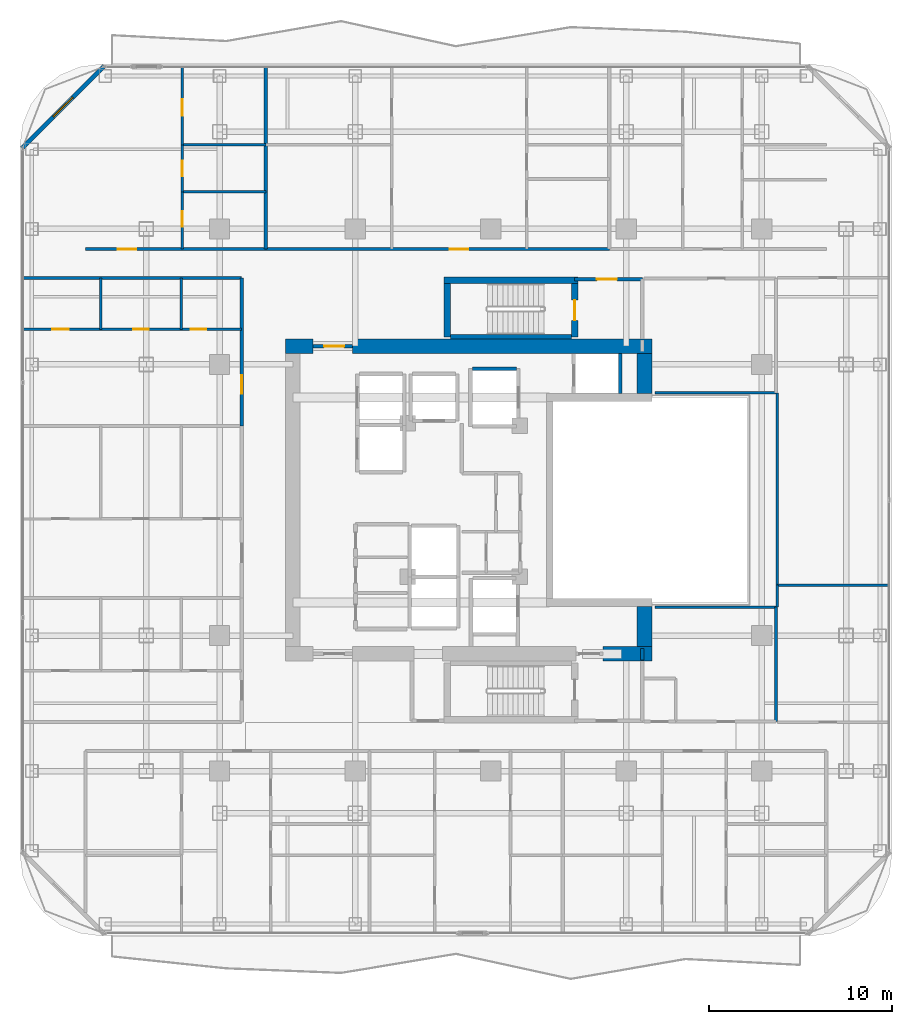
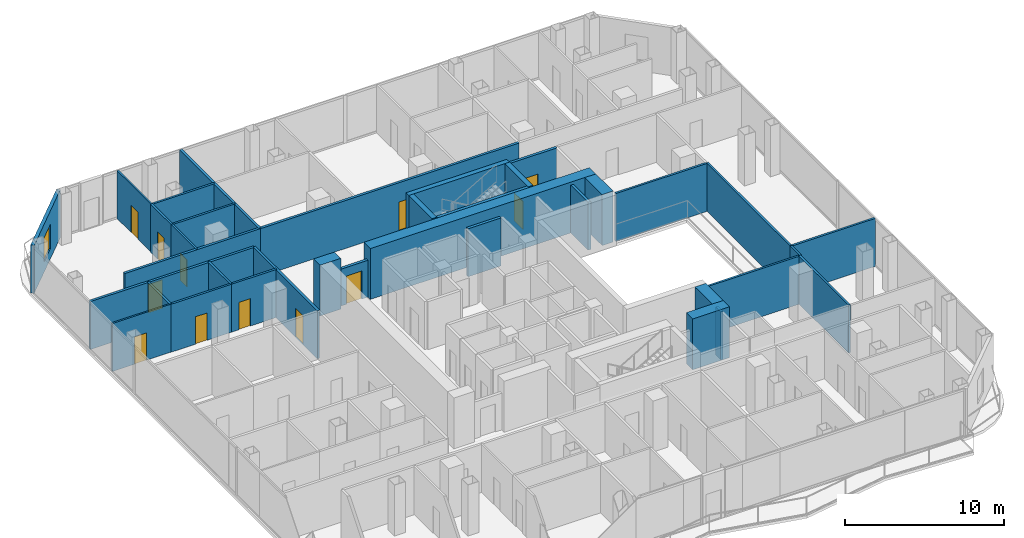
# One storey, part 22 of 27: 36 walls, 12 doors, 1 window, 13 openings.
"""IFC4 building model written with IfcOpenShell, lengths in metres."""

from ifc_helpers import new_model, si_unit, direction, frame, frame_2d, origin, place, context, subcontext, project, spatial, rectangle, extrude, material, layer, layer_set, type_object, element, fill, save


model = new_model("IFC4")

# Units and contexts
model_context = context("Model", 3, precision=1e-05, world=origin(), true_north=direction((0.0, 1.0)))
body_context = subcontext(model_context, "Body", "Model", "MODEL_VIEW")
ifc_project = project(units=[si_unit("LENGTHUNIT", "METRE"), si_unit("AREAUNIT", "SQUARE_METRE"), si_unit("VOLUMEUNIT", "CUBIC_METRE"), si_unit("PLANEANGLEUNIT", "RADIAN"), si_unit("MASSUNIT", "GRAM", prefix="KILO")], contexts=[model_context])

# Site, building, storey
site_placement = place(None, origin())
site = spatial("IfcSite", under=ifc_project, at=site_placement, CompositionType="ELEMENT")
building_placement = place(site_placement, origin())
building = spatial("IfcBuilding", under=site, at=building_placement, Name="Khorvyn Point Tower", CompositionType="ELEMENT")
storey_placement = place(building_placement, frame((0.0, 0.0, 179.699951171875)))
storey = spatial("IfcBuildingStorey", under=building, at=storey_placement, Name="L44", CompositionType="ELEMENT", Elevation=179.699951171875)

# Wall, opening, door
ifc_material_1 = material(Name="Double acoustic gypsum on twin steel stud", Category="steel")
ifc_layer_1 = layer(ifc_material_1, 0.179931640625)
ifc_layer_set_1 = layer_set([ifc_layer_1], Name="Acoustic Double-Stud Apartment Demising Wall 180")
wall_type_1 = type_object("IfcWallType", Name="Acoustic Double-Stud Apartment Demising Wall 180", PredefinedType="PARTITIONING", material=ifc_layer_set_1)
wall_1_placement = place(storey_placement, frame((-22.1201171875, 13.699951171875, 0.0), z_axis=(0.0, 0.0, 1.0), x_axis=(1.0, 0.0, 0.0)))
wall_1 = element("IfcWall", 1, at=wall_1_placement, inside=storey, type_object=wall_type_1, Name="Wall", PredefinedType="PARTITIONING", context=body_context, shape_type="SweptSolid", body=[
    extrude(rectangle(XDim=9.840087890625, YDim=0.179931640625, at=frame_2d((4.919921875, 0.0))), origin(), (0.0, 0.0, 1.0), 3.679931640625),
])
opening_1_placement = place(wall_1_placement, frame((1.757568359375, 0.0, 0.0)))
opening_1 = element("IfcOpeningElement", 2, at=opening_1_placement, cuts=wall_1, Name="Opening ID-AP60", PredefinedType="OPENING", context=body_context, shape_type="SweptSolid", body=[
    extrude(rectangle(XDim=1.0, YDim=2.199951171875, at=frame_2d((0.5, 1.10009765625))), frame((0.0, 0.099853515625, 0.0), z_axis=(0.0, -1.0, 0.0), x_axis=(1.0, 0.0, 0.0)), (0.0, 0.0, 1.0), 0.199951171875),
])
ifc_material_2 = material(Name="Engineered hardwood fire-rated leaf", Category="wood")
door_type_1 = type_object("IfcDoorType", Name="Acoustic Solid-Core Timber Apartment Entrance Door 1000x2200", OperationType="NOTDEFINED", PredefinedType="DOOR", material=ifc_material_2)
door_1_placement = place(opening_1_placement, origin())
door_1 = element("IfcDoor", 3, at=door_1_placement, inside=storey, type_object=door_type_1, Name="Door", OperationType="SINGLE_SWING_RIGHT", OverallHeight=2.199951171875, OverallWidth=1.0, PredefinedType="DOOR", context=body_context, shape_type="SweptSolid", body=[
    extrude(rectangle(XDim=1.0, YDim=2.199951171875, at=frame_2d((0.5, 1.10009765625))), frame((0.0, 0.02490234375, 0.0), z_axis=(0.0, -1.0, 0.0), x_axis=(1.0, 0.0, 0.0)), (0.0, 0.0, 1.0), 0.050048828125),
])
fill(opening_1, door_1)

wall_2_placement = place(storey_placement, frame((-12.280029296875, 13.699951171875, 0.0), z_axis=(0.0, 0.0, 1.0), x_axis=(1.0, 0.0, 0.0)))
wall_2 = element("IfcWall", 4, at=wall_2_placement, inside=storey, type_object=wall_type_1, Name="Wall", PredefinedType="PARTITIONING", context=body_context, shape_type="SweptSolid", body=[
    extrude(rectangle(XDim=18.758056640625, YDim=0.179931640625, at=frame_2d((9.37890625, 0.0))), origin(), (0.0, 0.0, 1.0), 3.679931640625),
])
opening_2_placement = place(wall_2_placement, frame((10.047607421875, 0.0, 0.0)))
opening_2 = element("IfcOpeningElement", 5, at=opening_2_placement, cuts=wall_2, Name="Opening ID-AP60", PredefinedType="OPENING", context=body_context, shape_type="SweptSolid", body=[
    extrude(rectangle(XDim=1.0, YDim=2.199951171875, at=frame_2d((0.5, 1.10009765625))), frame((0.0, 0.099853515625, 0.0), z_axis=(0.0, -1.0, 0.0), x_axis=(1.0, 0.0, 0.0)), (0.0, 0.0, 1.0), 0.199951171875),
])
door_2_placement = place(opening_2_placement, origin())
door_2 = element("IfcDoor", 6, at=door_2_placement, inside=storey, type_object=door_type_1, Name="Door", OperationType="SINGLE_SWING_RIGHT", OverallHeight=2.199951171875, OverallWidth=1.0, PredefinedType="DOOR", context=body_context, shape_type="SweptSolid", body=[
    extrude(rectangle(XDim=1.0, YDim=2.199951171875, at=frame_2d((0.5, 1.10009765625))), frame((0.0, 0.02490234375, 0.0), z_axis=(0.0, -1.0, 0.0), x_axis=(1.0, 0.0, 0.0)), (0.0, 0.0, 1.0), 0.050048828125),
])
fill(opening_2, door_2)

wall_3_placement = place(storey_placement, frame((-13.60009765625, 4.0400390625, 0.0), z_axis=(0.0, 0.0, 1.0), x_axis=(0.0, 1.0, 0.0)))
wall_3 = element("IfcWall", 7, at=wall_3_placement, inside=storey, type_object=wall_type_1, Name="Wall", PredefinedType="PARTITIONING", context=body_context, shape_type="SweptSolid", body=[
    extrude(rectangle(XDim=8.080078125, YDim=0.179931640625, at=frame_2d((4.0400390625, 0.0))), origin(), (0.0, 0.0, 1.0), 3.679931640625),
])
opening_3_placement = place(wall_3_placement, frame((1.760986328125, 0.0, 0.0)))
opening_3 = element("IfcOpeningElement", 8, at=opening_3_placement, cuts=wall_3, Name="Opening ID-AP60", PredefinedType="OPENING", context=body_context, shape_type="SweptSolid", body=[
    extrude(rectangle(XDim=1.0, YDim=2.199951171875, at=frame_2d((0.5, 1.10009765625))), frame((0.0, 0.099853515625, 0.0), z_axis=(0.0, -1.0, 0.0), x_axis=(1.0, 0.0, 0.0)), (0.0, 0.0, 1.0), 0.199951171875),
])
door_3_placement = place(opening_3_placement, origin())
door_3 = element("IfcDoor", 9, at=door_3_placement, inside=storey, type_object=door_type_1, Name="Door", OperationType="SINGLE_SWING_LEFT", OverallHeight=2.199951171875, OverallWidth=1.0, PredefinedType="DOOR", context=body_context, shape_type="SweptSolid", body=[
    extrude(rectangle(XDim=1.0, YDim=2.199951171875, at=frame_2d((0.5, 1.10009765625))), frame((0.0, 0.02490234375, 0.0), z_axis=(0.0, -1.0, 0.0), x_axis=(1.0, 0.0, 0.0)), (0.0, 0.0, 1.0), 0.050048828125),
])
fill(opening_3, door_3)

# Walls
wall_4_placement = place(storey_placement, frame((-12.280029296875, 13.699951171875, 0.0), z_axis=(0.0, 0.0, 1.0), x_axis=(0.0, 1.0, 0.0)))
element("IfcWall", 10, at=wall_4_placement, inside=storey, type_object=wall_type_1, Name="Wall", PredefinedType="PARTITIONING", context=body_context, shape_type="SweptSolid", body=[
    extrude(rectangle(XDim=9.929931640625, YDim=0.179931640625, at=frame_2d((4.96484375, 0.0))), origin(), (0.0, 0.0, 1.0), 3.679931640625),
])
wall_5_placement = place(storey_placement, frame((-25.530029296875, 12.1201171875, 0.0), z_axis=(0.0, 0.0, 1.0), x_axis=(1.0, 0.0, 0.0)))
element("IfcWall", 11, at=wall_5_placement, inside=storey, type_object=wall_type_1, Name="Wall", PredefinedType="PARTITIONING", context=body_context, shape_type="SweptSolid", body=[
    extrude(rectangle(XDim=11.929931640625, YDim=0.179931640625, at=frame_2d((5.96484375, 0.0))), origin(), (0.0, 0.0, 1.0), 3.679931640625),
])

# Wall, opening, window
ifc_material_3 = material(Name="Pale anodised aluminium rainscreen on steel stud", Category="steel")
ifc_layer_2 = layer(ifc_material_3, 0.239990234375)
ifc_layer_set_2 = layer_set([ifc_layer_2], Name="Anodised Aluminium Insulated Corner Spandrel Wall 240")
wall_type_2 = type_object("IfcWallType", Name="Anodised Aluminium Insulated Corner Spandrel Wall 240", PredefinedType="SOLIDWALL", material=ifc_layer_set_2)
wall_6_placement = place(storey_placement, frame((-25.59228515625, 19.20751953125, 0.0), z_axis=(0.0, 0.0, 1.0), x_axis=(0.707087534163, 0.707126027686, 0.0)))
wall_6 = element("IfcWall", 12, at=wall_6_placement, inside=storey, type_object=wall_type_2, Name="L44 Rounded Corner Wall NW", PredefinedType="SOLIDWALL", context=body_context, shape_type="SweptSolid", body=[
    extrude(rectangle(XDim=6.34228515625, YDim=0.239990234375, at=frame_2d((3.171142578125, 0.0))), origin(), (0.0, 0.0, 1.0), 3.679931640625),
])
opening_4_placement = place(wall_6_placement, frame((2.42138671875, 0.0, 0.800048828125)))
opening_4 = element("IfcOpeningElement", 13, at=opening_4_placement, cuts=wall_6, Name="Opening WN-1518", PredefinedType="OPENING", context=body_context, shape_type="SweptSolid", body=[
    extrude(rectangle(XDim=1.5, YDim=1.85009765625, at=frame_2d((0.75, 0.925048828125))), frame((0.0, 0.1298828125, 0.0), z_axis=(0.0, -1.0, 0.0), x_axis=(1.0, 0.0, 0.0)), (0.0, 0.0, 1.0), 0.260009765625),
])
ifc_material_4 = material(Name="Anodised aluminium 6063-T6 and laminated Low-E glass", Category="aluminium")
window_type = type_object("IfcWindowType", Name="Anodised Aluminium Rounded-Corner Panoramic Window 1500x1850", PartitioningType="SINGLE_PANEL", PredefinedType="WINDOW", material=ifc_material_4)
window_placement = place(opening_4_placement, origin())
window = element("IfcWindow", 14, at=window_placement, inside=storey, type_object=window_type, Name="L44 Corner Panoramic Window NW", OverallHeight=1.85009765625, OverallWidth=1.5, PartitioningType="SINGLE_PANEL", PredefinedType="WINDOW", context=body_context, shape_type="SweptSolid", body=[
    extrude(rectangle(XDim=1.5, YDim=1.85009765625, at=frame_2d((0.75, 0.925048828125))), frame((0.0, 0.030029296875, 0.0), z_axis=(0.0, -1.0, 0.0), x_axis=(1.0, 0.0, 0.0)), (0.0, 0.0, 1.0), 0.06005859375),
])
fill(opening_4, window)

# Wall, opening, door
ifc_material_5 = material(Name="Concrete C40/50", Category="concrete")
ifc_layer_3 = layer(ifc_material_5, 0.199951171875)
ifc_layer_set_3 = layer_set([ifc_layer_3], Name="Concrete C40/50 Fire-Lobby Compartment Wall 200")
wall_type_3 = type_object("IfcWallType", Name="Concrete C40/50 Fire-Lobby Compartment Wall 200", PredefinedType="SOLIDWALL", material=ifc_layer_set_3)
wall_7_placement = place(storey_placement, frame((4.580078125, 12.06005859375, 0.0), z_axis=(0.0, 0.0, 1.0), x_axis=(1.0, 0.0, 0.0)))
wall_7 = element("IfcWall", 15, at=wall_7_placement, inside=storey, type_object=wall_type_3, Name="Wall", PredefinedType="SOLIDWALL", context=body_context, shape_type="SweptSolid", body=[
    extrude(rectangle(XDim=3.699951171875, YDim=0.199951171875, at=frame_2d((1.85009765625, 0.0))), origin(), (0.0, 0.0, 1.0), 3.679931640625),
])
opening_5_placement = place(wall_7_placement, frame((1.21240234375, 0.0, 0.0)))
opening_5 = element("IfcOpeningElement", 16, at=opening_5_placement, cuts=wall_7, Name="Opening ID-FL90", PredefinedType="OPENING", context=body_context, shape_type="SweptSolid", body=[
    extrude(rectangle(XDim=1.10009765625, YDim=2.14990234375, at=frame_2d((0.550048828125, 1.074951171875))), frame((0.0, 0.10986328125, 0.0), z_axis=(0.0, -1.0, 0.0), x_axis=(1.0, 0.0, 0.0)), (0.0, 0.0, 1.0), 0.219970703125),
])
ifc_material_6 = material(Name="Galvanised powder-coated steel", Category="steel")
door_type_2 = type_object("IfcDoorType", Name="Fire-Rated Steel Lobby and Stair Door 1100x2150", OperationType="NOTDEFINED", PredefinedType="DOOR", material=ifc_material_6)
door_4_placement = place(opening_5_placement, origin())
door_4 = element("IfcDoor", 17, at=door_4_placement, inside=storey, type_object=door_type_2, Name="Door", OperationType="SINGLE_SWING_RIGHT", OverallHeight=2.14990234375, OverallWidth=1.10009765625, PredefinedType="DOOR", context=body_context, shape_type="SweptSolid", body=[
    extrude(rectangle(XDim=1.10009765625, YDim=2.14990234375, at=frame_2d((0.550048828125, 1.074951171875))), frame((0.0, 0.02490234375, 0.0), z_axis=(0.0, -1.0, 0.0), x_axis=(1.0, 0.0, 0.0)), (0.0, 0.0, 1.0), 0.050048828125),
])
fill(opening_5, door_4)

wall_8_placement = place(storey_placement, frame((-9.699951171875, 8.39990234375, 0.0), z_axis=(0.0, 0.0, 1.0), x_axis=(1.0, 0.0, 0.0)))
wall_8 = element("IfcWall", 18, at=wall_8_placement, inside=storey, type_object=wall_type_3, Name="Wall", PredefinedType="SOLIDWALL", context=body_context, shape_type="SweptSolid", body=[
    extrude(rectangle(XDim=2.14990234375, YDim=0.199951171875, at=frame_2d((1.074951171875, 0.0))), origin(), (0.0, 0.0, 1.0), 2.820068359375),
])
opening_6_placement = place(wall_8_placement, frame((0.597900390625, 0.0, 0.0)))
opening_6 = element("IfcOpeningElement", 19, at=opening_6_placement, cuts=wall_8, Name="Opening ID-FL90", PredefinedType="OPENING", context=body_context, shape_type="SweptSolid", body=[
    extrude(rectangle(XDim=1.10009765625, YDim=2.14990234375, at=frame_2d((0.550048828125, 1.074951171875))), frame((0.0, 0.10986328125, 0.0), z_axis=(0.0, -1.0, 0.0), x_axis=(1.0, 0.0, 0.0)), (0.0, 0.0, 1.0), 0.219970703125),
])
door_5_placement = place(opening_6_placement, origin())
door_5 = element("IfcDoor", 20, at=door_5_placement, inside=storey, type_object=door_type_2, Name="Door", OperationType="SINGLE_SWING_RIGHT", OverallHeight=2.14990234375, OverallWidth=1.10009765625, PredefinedType="DOOR", context=body_context, shape_type="SweptSolid", body=[
    extrude(rectangle(XDim=1.10009765625, YDim=2.14990234375, at=frame_2d((0.550048828125, 1.074951171875))), frame((0.0, 0.02490234375, 0.0), z_axis=(0.0, -1.0, 0.0), x_axis=(1.0, 0.0, 0.0)), (0.0, 0.0, 1.0), 0.050048828125),
])
fill(opening_6, door_5)

# Walls
wall_9_placement = place(storey_placement, frame((8.280029296875, -8.72509765625, 0.0), z_axis=(0.0, 0.0, 1.0), x_axis=(0.0, 1.0, 0.0)))
element("IfcWall", 21, at=wall_9_placement, inside=storey, type_object=wall_type_3, Name="Wall", PredefinedType="SOLIDWALL", context=body_context, shape_type="SweptSolid", body=[
    extrude(rectangle(XDim=0.625, YDim=0.199951171875, at=frame_2d((0.3125, 0.0))), origin(), (0.0, 0.0, 1.0), 3.679931640625),
])
ifc_layer_4 = layer(ifc_material_5, 0.25)
ifc_layer_set_4 = layer_set([ifc_layer_4], Name="Concrete C40/50 Stair Inner Cheek Structural Wall 250")
wall_type_4 = type_object("IfcWallType", Name="Concrete C40/50 Stair Inner Cheek Structural Wall 250", PredefinedType="SHEAR", material=ifc_layer_set_4)
wall_10_placement = place(storey_placement, frame((-2.199951171875, 8.91259765625, 0.0), z_axis=(0.0, 0.0, 1.0), x_axis=(1.0, 0.0, 0.0)))
element("IfcWall", 22, at=wall_10_placement, inside=storey, type_object=wall_type_4, Name="Wall", PredefinedType="SHEAR", context=body_context, shape_type="SweptSolid", body=[
    extrude(rectangle(XDim=6.599853515625, YDim=0.22509765625, at=frame_2d((3.2998046875, 0.0))), origin(), (0.0, 0.0, 1.0), 3.900146484375),
])
ifc_layer_5 = layer(ifc_material_5, 0.35009765625)
ifc_layer_set_5 = layer_set([ifc_layer_5], Name="Concrete C40/50 Stair Shaft Structural Wall 350")
wall_type_5 = type_object("IfcWallType", Name="Concrete C40/50 Stair Shaft Structural Wall 350", PredefinedType="SHEAR", material=ifc_layer_set_5)
wall_11_placement = place(storey_placement, frame((-2.554931640625, 12.0, 0.0), z_axis=(0.0, 0.0, 1.0), x_axis=(1.0, 0.0, 0.0)))
element("IfcWall", 23, at=wall_11_placement, inside=storey, type_object=wall_type_5, Name="L44 ST-02 North Shaft Wall", PredefinedType="SHEAR", context=body_context, shape_type="SweptSolid", body=[
    extrude(rectangle(XDim=7.309814453125, YDim=0.35009765625, at=frame_2d((3.65478515625, 0.0))), origin(), (0.0, 0.0, 1.0), 3.900146484375),
])
wall_12_placement = place(storey_placement, frame((-2.3798828125, 8.89990234375, 0.0), z_axis=(0.0, 0.0, 1.0), x_axis=(0.0, 1.0, 0.0)))
element("IfcWall", 24, at=wall_12_placement, inside=storey, type_object=wall_type_5, Name="L44 ST-02 West Shaft Wall", PredefinedType="SHEAR", context=body_context, shape_type="SweptSolid", body=[
    extrude(rectangle(XDim=2.925048828125, YDim=0.35009765625, at=frame_2d((1.46240234375, 0.0))), origin(), (0.0, 0.0, 1.0), 3.900146484375),
])

# Wall, opening, door
wall_13_placement = place(storey_placement, frame((4.580078125, 11.824951171875, 0.0), z_axis=(0.0, 0.0, 1.0), x_axis=(0.0, -1.0, 0.0)))
wall_13 = element("IfcWall", 25, at=wall_13_placement, inside=storey, type_object=wall_type_5, Name="L44 ST-02 East Landing Door Wall", PredefinedType="SHEAR", context=body_context, shape_type="SweptSolid", body=[
    extrude(rectangle(XDim=2.925048828125, YDim=0.35009765625, at=frame_2d((1.46240234375, 0.0))), origin(), (0.0, 0.0, 1.0), 3.900146484375),
])
opening_7_placement = place(wall_13_placement, frame((0.91259765625, 0.0, 0.0)))
opening_7 = element("IfcOpeningElement", 26, at=opening_7_placement, cuts=wall_13, Name="Opening ID-FL90", PredefinedType="OPENING", context=body_context, shape_type="SweptSolid", body=[
    extrude(rectangle(XDim=1.10009765625, YDim=2.14990234375, at=frame_2d((0.550048828125, 1.074951171875))), frame((0.0, 0.18505859375, 0.0), z_axis=(0.0, -1.0, 0.0), x_axis=(1.0, 0.0, 0.0)), (0.0, 0.0, 1.0), 0.3701171875),
])
door_6_placement = place(opening_7_placement, origin())
door_6 = element("IfcDoor", 27, at=door_6_placement, inside=storey, type_object=door_type_2, Name="L44 ST-02 Smokeproof Landing Door", OperationType="SINGLE_SWING_LEFT", OverallHeight=2.14990234375, OverallWidth=1.10009765625, PredefinedType="DOOR", context=body_context, shape_type="SweptSolid", body=[
    extrude(rectangle(XDim=1.10009765625, YDim=2.14990234375, at=frame_2d((0.550048828125, 1.074951171875))), frame((0.0, 0.02490234375, 0.0), z_axis=(0.0, -1.0, 0.0), x_axis=(1.0, 0.0, 0.0)), (0.0, 0.0, 1.0), 0.050048828125),
])
fill(opening_7, door_6)

# Walls
ifc_layer_6 = layer(ifc_material_5, 0.199951171875)
ifc_layer_set_6 = layer_set([ifc_layer_6], Name="Concrete C40/50 Structural Hoistway and Stair Shaft Wall 200")
wall_type_6 = type_object("IfcWallType", Name="Concrete C40/50 Structural Hoistway and Stair Shaft Wall 200", PredefinedType="SHEAR", material=ifc_layer_set_6)
wall_14_placement = place(storey_placement, frame((-1.0, 7.175048828125, 0.0), z_axis=(0.0, 0.0, 1.0), x_axis=(1.0, 0.0, 0.0)))
element("IfcWall", 28, at=wall_14_placement, inside=storey, type_object=wall_type_6, Name="Wall", PredefinedType="SHEAR", context=body_context, shape_type="SweptSolid", body=[
    extrude(rectangle(XDim=2.39990234375, YDim=0.199951171875, at=frame_2d((1.199951171875, 0.0))), origin(), (0.0, 0.0, 1.0), 3.679931640625),
])
wall_15_placement = place(storey_placement, frame((7.074951171875, 5.824951171875, 0.0), z_axis=(0.0, 0.0, 1.0), x_axis=(0.0, 1.0, 0.0)))
element("IfcWall", 29, at=wall_15_placement, inside=storey, type_object=wall_type_6, Name="Wall", PredefinedType="SHEAR", context=body_context, shape_type="SweptSolid", body=[
    extrude(rectangle(XDim=2.175048828125, YDim=0.199951171875, at=frame_2d((1.08740234375, 0.0))), origin(), (0.0, 0.0, 1.0), 3.679931640625),
])
ifc_material_7 = material(Name="Concrete C45/55", Category="concrete")
ifc_layer_7 = layer(ifc_material_7, 0.800048828125)
ifc_layer_set_7 = layer_set([ifc_layer_7], Name="Concrete C45/55 Core Shear Wall 800")
wall_type_7 = type_object("IfcWallType", Name="Concrete C45/55 Core Shear Wall 800", PredefinedType="SHEAR", material=ifc_layer_set_7)
wall_16_placement = place(storey_placement, frame((6.1201171875, -8.39990234375, 0.0), z_axis=(0.0, 0.0, 1.0), x_axis=(1.0, 0.0, 0.0)))
element("IfcWall", 30, at=wall_16_placement, inside=storey, type_object=wall_type_7, Name="Wall", PredefinedType="SHEAR", context=body_context, shape_type="SweptSolid", body=[
    extrude(rectangle(XDim=2.679931640625, YDim=0.800048828125, at=frame_2d((1.33984375, 0.0))), origin(), (0.0, 0.0, 1.0), 3.900146484375),
])
wall_17_placement = place(storey_placement, frame((-11.199951171875, 8.39990234375, 0.0), z_axis=(0.0, 0.0, 1.0), x_axis=(1.0, 0.0, 0.0)))
element("IfcWall", 31, at=wall_17_placement, inside=storey, type_object=wall_type_7, Name="Wall", PredefinedType="SHEAR", context=body_context, shape_type="SweptSolid", body=[
    extrude(rectangle(XDim=1.5, YDim=0.800048828125, at=frame_2d((0.75, 0.0))), origin(), (0.0, 0.0, 1.0), 3.900146484375),
])
wall_18_placement = place(storey_placement, frame((-7.550048828125, 8.39990234375, 0.0), z_axis=(0.0, 0.0, 1.0), x_axis=(1.0, 0.0, 0.0)))
element("IfcWall", 32, at=wall_18_placement, inside=storey, type_object=wall_type_7, Name="Wall", PredefinedType="SHEAR", context=body_context, shape_type="SweptSolid", body=[
    extrude(rectangle(XDim=16.35009765625, YDim=0.800048828125, at=frame_2d((8.175048828125, 0.0))), origin(), (0.0, 0.0, 1.0), 3.900146484375),
])
for number, where, z_axis, x_axis, name in (
    (33, (8.39990234375, -8.0, 0.0), (0.0, 0.0, 1.0), (0.0, 1.0, 0.0), "Wall"),
    (34, (8.39990234375, 5.824951171875, 0.0), (0.0, 0.0, 1.0), (0.0, 1.0, 0.0), "Wall"),
):
    element("IfcWall", number, at=place(storey_placement, frame(where, z_axis=z_axis, x_axis=x_axis)), inside=storey, type_object=wall_type_7, Name=name, PredefinedType="SHEAR", context=body_context, shape_type="SweptSolid", body=[
        extrude(rectangle(XDim=2.175048828125, YDim=0.800048828125, at=frame_2d((1.08740234375, 0.0))), origin(), (0.0, 0.0, 1.0), 3.900146484375),
    ])

# Wall, opening, door
ifc_material_8 = material(Name="Gypsum plasterboard on steel stud", Category="steel")
ifc_layer_8 = layer(ifc_material_8, 0.1201171875)
ifc_layer_set_8 = layer_set([ifc_layer_8], Name="Gypsum Acoustic Stud Room Partition Wall 120")
wall_type_8 = type_object("IfcWallType", Name="Gypsum Acoustic Stud Room Partition Wall 120", PredefinedType="PARTITIONING", material=ifc_layer_set_8)
wall_19_placement = place(storey_placement, frame((-16.844970703125, 19.389892578125, 0.0), z_axis=(0.0, 0.0, 1.0), x_axis=(0.0, 1.0, 0.0)))
wall_19 = element("IfcWall", 35, at=wall_19_placement, inside=storey, type_object=wall_type_8, Name="Wall", PredefinedType="PARTITIONING", context=body_context, shape_type="SweptSolid", body=[
    extrude(rectangle(XDim=4.239990234375, YDim=0.1201171875, at=frame_2d((2.1201171875, 0.0))), origin(), (0.0, 0.0, 1.0), 3.679931640625),
])
opening_8_placement = place(wall_19_placement, frame((1.581298828125, 0.0, 0.0)))
opening_8 = element("IfcOpeningElement", 36, at=opening_8_placement, cuts=wall_19, Name="Opening ID-RM90", PredefinedType="OPENING", context=body_context, shape_type="SweptSolid", body=[
    extrude(rectangle(XDim=0.89990234375, YDim=2.10009765625, at=frame_2d((0.449951171875, 1.050048828125))), frame((0.0, 0.070068359375, 0.0), z_axis=(0.0, -1.0, 0.0), x_axis=(1.0, 0.0, 0.0)), (0.0, 0.0, 1.0), 0.14013671875),
])
ifc_material_9 = material(Name="Engineered oak veneer timber", Category="wood")
door_type_3 = type_object("IfcDoorType", Name="Flush Engineered Timber Room Door 900x2100", OperationType="NOTDEFINED", PredefinedType="DOOR", material=ifc_material_9)
door_7_placement = place(opening_8_placement, origin())
door_7 = element("IfcDoor", 37, at=door_7_placement, inside=storey, type_object=door_type_3, Name="Door", OperationType="SINGLE_SWING_LEFT", OverallHeight=2.10009765625, OverallWidth=0.89990234375, PredefinedType="DOOR", context=body_context, shape_type="SweptSolid", body=[
    extrude(rectangle(XDim=0.89990234375, YDim=2.10009765625, at=frame_2d((0.449951171875, 1.050048828125))), frame((0.0, 0.02490234375, 0.0), z_axis=(0.0, -1.0, 0.0), x_axis=(1.0, 0.0, 0.0)), (0.0, 0.0, 1.0), 0.050048828125),
])
fill(opening_8, door_7)

wall_20_placement = place(storey_placement, frame((-25.530029296875, 9.320068359375, 0.0), z_axis=(0.0, 0.0, 1.0), x_axis=(1.0, 0.0, 0.0)))
wall_20 = element("IfcWall", 38, at=wall_20_placement, inside=storey, type_object=wall_type_8, Name="Wall", PredefinedType="PARTITIONING", context=body_context, shape_type="SweptSolid", body=[
    extrude(rectangle(XDim=4.239990234375, YDim=0.1201171875, at=frame_2d((2.1201171875, 0.0))), origin(), (0.0, 0.0, 1.0), 3.679931640625),
])
opening_9_placement = place(wall_20_placement, frame((1.581298828125, 0.0, 0.0)))
opening_9 = element("IfcOpeningElement", 39, at=opening_9_placement, cuts=wall_20, Name="Opening ID-RM90", PredefinedType="OPENING", context=body_context, shape_type="SweptSolid", body=[
    extrude(rectangle(XDim=0.89990234375, YDim=2.10009765625, at=frame_2d((0.449951171875, 1.050048828125))), frame((0.0, 0.070068359375, 0.0), z_axis=(0.0, -1.0, 0.0), x_axis=(1.0, 0.0, 0.0)), (0.0, 0.0, 1.0), 0.14013671875),
])
door_8_placement = place(opening_9_placement, origin())
door_8 = element("IfcDoor", 40, at=door_8_placement, inside=storey, type_object=door_type_3, Name="Door", OperationType="SINGLE_SWING_RIGHT", OverallHeight=2.10009765625, OverallWidth=0.89990234375, PredefinedType="DOOR", context=body_context, shape_type="SweptSolid", body=[
    extrude(rectangle(XDim=0.89990234375, YDim=2.10009765625, at=frame_2d((0.449951171875, 1.050048828125))), frame((0.0, 0.02490234375, 0.0), z_axis=(0.0, -1.0, 0.0), x_axis=(1.0, 0.0, 0.0)), (0.0, 0.0, 1.0), 0.050048828125),
])
fill(opening_9, door_8)

ifc_material_10 = material(Name="Moisture-resistant gypsum and cement board", Category="gypsum")
ifc_layer_9 = layer(ifc_material_10, 0.14990234375)
ifc_layer_set_9 = layer_set([ifc_layer_9], Name="Moisture-Resistant Wet-Room Partition Wall 150")
wall_type_9 = type_object("IfcWallType", Name="Moisture-Resistant Wet-Room Partition Wall 150", PredefinedType="PARTITIONING", material=ifc_layer_set_9)
wall_21_placement = place(storey_placement, frame((-16.844970703125, 13.699951171875, 0.0), z_axis=(0.0, 0.0, 1.0), x_axis=(0.0, 1.0, 0.0)))
wall_21 = element("IfcWall", 41, at=wall_21_placement, inside=storey, type_object=wall_type_9, Name="Wall", PredefinedType="PARTITIONING", context=body_context, shape_type="SweptSolid", body=[
    extrude(rectangle(XDim=3.129150390625, YDim=0.14990234375, at=frame_2d((1.564453125, 0.0))), origin(), (0.0, 0.0, 1.0), 3.679931640625),
])
opening_10_placement = place(wall_21_placement, frame((1.228515625, 0.0, 0.0)))
opening_10 = element("IfcOpeningElement", 42, at=opening_10_placement, cuts=wall_21, Name="Opening ID-WC85", PredefinedType="OPENING", context=body_context, shape_type="SweptSolid", body=[
    extrude(rectangle(XDim=0.85009765625, YDim=2.10009765625, at=frame_2d((0.425048828125, 1.050048828125))), frame((0.0, 0.0849609375, 0.0), z_axis=(0.0, -1.0, 0.0), x_axis=(1.0, 0.0, 0.0)), (0.0, 0.0, 1.0), 0.169921875),
])
ifc_material_11 = material(Name="High-pressure laminate on moisture-resistant core", Category="wood")
door_type_4 = type_object("IfcDoorType", Name="Moisture-Resistant Accessible Washroom Door 850x2100", OperationType="NOTDEFINED", PredefinedType="DOOR", material=ifc_material_11)
door_9_placement = place(opening_10_placement, origin())
door_9 = element("IfcDoor", 43, at=door_9_placement, inside=storey, type_object=door_type_4, Name="Door", OperationType="SINGLE_SWING_LEFT", OverallHeight=2.10009765625, OverallWidth=0.85009765625, PredefinedType="DOOR", context=body_context, shape_type="SweptSolid", body=[
    extrude(rectangle(XDim=0.85009765625, YDim=2.10009765625, at=frame_2d((0.425048828125, 1.050048828125))), frame((0.0, 0.02490234375, 0.0), z_axis=(0.0, -1.0, 0.0), x_axis=(1.0, 0.0, 0.0)), (0.0, 0.0, 1.0), 0.050048828125),
])
fill(opening_10, door_9)

wall_22_placement = place(storey_placement, frame((-16.844970703125, 16.8291015625, 0.0), z_axis=(0.0, 0.0, 1.0), x_axis=(0.0, 1.0, 0.0)))
wall_22 = element("IfcWall", 44, at=wall_22_placement, inside=storey, type_object=wall_type_9, Name="Wall", PredefinedType="PARTITIONING", context=body_context, shape_type="SweptSolid", body=[
    extrude(rectangle(XDim=2.560791015625, YDim=0.14990234375, at=frame_2d((1.2802734375, 0.0))), origin(), (0.0, 0.0, 1.0), 3.679931640625),
])
opening_11_placement = place(wall_22_placement, frame((0.85546875, 0.0, 0.0)))
opening_11 = element("IfcOpeningElement", 45, at=opening_11_placement, cuts=wall_22, Name="Opening ID-WC85", PredefinedType="OPENING", context=body_context, shape_type="SweptSolid", body=[
    extrude(rectangle(XDim=0.85009765625, YDim=2.10009765625, at=frame_2d((0.425048828125, 1.050048828125))), frame((0.0, 0.0849609375, 0.0), z_axis=(0.0, -1.0, 0.0), x_axis=(1.0, 0.0, 0.0)), (0.0, 0.0, 1.0), 0.169921875),
])
door_10_placement = place(opening_11_placement, origin())
door_10 = element("IfcDoor", 46, at=door_10_placement, inside=storey, type_object=door_type_4, Name="Door", OperationType="SINGLE_SWING_RIGHT", OverallHeight=2.10009765625, OverallWidth=0.85009765625, PredefinedType="DOOR", context=body_context, shape_type="SweptSolid", body=[
    extrude(rectangle(XDim=0.85009765625, YDim=2.10009765625, at=frame_2d((0.425048828125, 1.050048828125))), frame((0.0, 0.02490234375, 0.0), z_axis=(0.0, -1.0, 0.0), x_axis=(1.0, 0.0, 0.0)), (0.0, 0.0, 1.0), 0.050048828125),
])
fill(opening_11, door_10)

wall_23_placement = place(storey_placement, frame((-21.2900390625, 9.320068359375, 0.0), z_axis=(0.0, 0.0, 1.0), x_axis=(1.0, 0.0, 0.0)))
wall_23 = element("IfcWall", 47, at=wall_23_placement, inside=storey, type_object=wall_type_9, Name="Wall", PredefinedType="PARTITIONING", context=body_context, shape_type="SweptSolid", body=[
    extrude(rectangle(XDim=4.39697265625, YDim=0.14990234375, at=frame_2d((2.198486328125, 0.0))), origin(), (0.0, 0.0, 1.0), 3.679931640625),
])
opening_12_placement = place(wall_23_placement, frame((1.7734375, 0.0, 0.0)))
opening_12 = element("IfcOpeningElement", 48, at=opening_12_placement, cuts=wall_23, Name="Opening ID-WC85", PredefinedType="OPENING", context=body_context, shape_type="SweptSolid", body=[
    extrude(rectangle(XDim=0.85009765625, YDim=2.10009765625, at=frame_2d((0.425048828125, 1.050048828125))), frame((0.0, 0.0849609375, 0.0), z_axis=(0.0, -1.0, 0.0), x_axis=(1.0, 0.0, 0.0)), (0.0, 0.0, 1.0), 0.169921875),
])
door_11_placement = place(opening_12_placement, origin())
door_11 = element("IfcDoor", 49, at=door_11_placement, inside=storey, type_object=door_type_4, Name="Door", OperationType="SINGLE_SWING_RIGHT", OverallHeight=2.10009765625, OverallWidth=0.85009765625, PredefinedType="DOOR", context=body_context, shape_type="SweptSolid", body=[
    extrude(rectangle(XDim=0.85009765625, YDim=2.10009765625, at=frame_2d((0.425048828125, 1.050048828125))), frame((0.0, 0.02490234375, 0.0), z_axis=(0.0, -1.0, 0.0), x_axis=(1.0, 0.0, 0.0)), (0.0, 0.0, 1.0), 0.050048828125),
])
fill(opening_12, door_11)

wall_24_placement = place(storey_placement, frame((-16.89306640625, 9.320068359375, 0.0), z_axis=(0.0, 0.0, 1.0), x_axis=(1.0, 0.0, 0.0)))
wall_24 = element("IfcWall", 50, at=wall_24_placement, inside=storey, type_object=wall_type_9, Name="Wall", PredefinedType="PARTITIONING", context=body_context, shape_type="SweptSolid", body=[
    extrude(rectangle(XDim=3.29296875, YDim=0.14990234375, at=frame_2d((1.646484375, 0.0))), origin(), (0.0, 0.0, 1.0), 3.679931640625),
])
opening_13_placement = place(wall_24_placement, frame((0.513916015625, 0.0, 0.0)))
opening_13 = element("IfcOpeningElement", 51, at=opening_13_placement, cuts=wall_24, Name="Opening ID-WC85", PredefinedType="OPENING", context=body_context, shape_type="SweptSolid", body=[
    extrude(rectangle(XDim=0.85009765625, YDim=2.10009765625, at=frame_2d((0.425048828125, 1.050048828125))), frame((0.0, 0.0849609375, 0.0), z_axis=(0.0, -1.0, 0.0), x_axis=(1.0, 0.0, 0.0)), (0.0, 0.0, 1.0), 0.169921875),
])
door_12_placement = place(opening_13_placement, origin())
door_12 = element("IfcDoor", 52, at=door_12_placement, inside=storey, type_object=door_type_4, Name="Door", OperationType="SINGLE_SWING_LEFT", OverallHeight=2.10009765625, OverallWidth=0.85009765625, PredefinedType="DOOR", context=body_context, shape_type="SweptSolid", body=[
    extrude(rectangle(XDim=0.85009765625, YDim=2.10009765625, at=frame_2d((0.425048828125, 1.050048828125))), frame((0.0, 0.02490234375, 0.0), z_axis=(0.0, -1.0, 0.0), x_axis=(1.0, 0.0, 0.0)), (0.0, 0.0, 1.0), 0.050048828125),
])
fill(opening_13, door_12)

# Walls
wall_25_placement = place(storey_placement, frame((15.580078125, -12.10009765625, 0.0), z_axis=(0.0, 0.0, 1.0), x_axis=(0.0, 1.0, 0.0)))
element("IfcWall", 53, at=wall_25_placement, inside=storey, type_object=wall_type_9, Name="Wall", PredefinedType="PARTITIONING", context=body_context, shape_type="SweptSolid", body=[
    extrude(rectangle(XDim=6.25, YDim=0.14990234375, at=frame_2d((3.125, 0.0))), origin(), (0.0, 0.0, 1.0), 3.679931640625),
])
for number, where, z_axis, x_axis, name in (
    (54, (8.9599609375, -5.85009765625, 0.0), (0.0, 0.0, 1.0), (1.0, 0.0, 0.0), "Wall"),
    (55, (8.9599609375, 5.85009765625, 0.0), (0.0, 0.0, 1.0), (1.0, 0.0, 0.0), "Wall"),
):
    element("IfcWall", number, at=place(storey_placement, frame(where, z_axis=z_axis, x_axis=x_axis)), inside=storey, type_object=wall_type_9, Name=name, PredefinedType="PARTITIONING", context=body_context, shape_type="SweptSolid", body=[
        extrude(rectangle(XDim=6.6201171875, YDim=0.14990234375, at=frame_2d((3.31005859375, 0.0))), origin(), (0.0, 0.0, 1.0), 3.679931640625),
    ])
for number, where, z_axis, x_axis, name in (
    (56, (-16.844970703125, 16.8291015625, 0.0), (0.0, 0.0, 1.0), (1.0, 0.0, 0.0), "Wall"),
    (57, (-16.844970703125, 19.389892578125, 0.0), (0.0, 0.0, 1.0), (1.0, 0.0, 0.0), "Wall"),
):
    element("IfcWall", number, at=place(storey_placement, frame(where, z_axis=z_axis, x_axis=x_axis)), inside=storey, type_object=wall_type_9, Name=name, PredefinedType="PARTITIONING", context=body_context, shape_type="SweptSolid", body=[
        extrude(rectangle(XDim=4.56494140625, YDim=0.14990234375, at=frame_2d((2.282470703125, 0.0))), origin(), (0.0, 0.0, 1.0), 3.679931640625),
    ])
for number, where, z_axis, x_axis, name in (
    (58, (-16.89306640625, 9.320068359375, 0.0), (0.0, 0.0, 1.0), (0.0, 1.0, 0.0), "Wall"),
    (59, (-21.2900390625, 9.320068359375, 0.0), (0.0, 0.0, 1.0), (0.0, 1.0, 0.0), "Wall"),
):
    element("IfcWall", number, at=place(storey_placement, frame(where, z_axis=z_axis, x_axis=x_axis)), inside=storey, type_object=wall_type_9, Name=name, PredefinedType="PARTITIONING", context=body_context, shape_type="SweptSolid", body=[
        extrude(rectangle(XDim=2.800048828125, YDim=0.14990234375, at=frame_2d((1.39990234375, 0.0))), origin(), (0.0, 0.0, 1.0), 3.679931640625),
    ])
wall_26_placement = place(storey_placement, frame((15.64990234375, -5.85009765625, 0.0), z_axis=(0.0, 0.0, 1.0), x_axis=(0.0, 1.0, 0.0)))
element("IfcWall", 60, at=wall_26_placement, inside=storey, type_object=wall_type_9, Name="Wall", PredefinedType="PARTITIONING", context=body_context, shape_type="SweptSolid", body=[
    extrude(rectangle(XDim=1.2001953125, YDim=0.14990234375, at=frame_2d((0.60009765625, 0.0))), origin(), (0.0, 0.0, 1.0), 3.679931640625),
])
wall_27_placement = place(storey_placement, frame((15.64990234375, -4.64990234375, 0.0), z_axis=(0.0, 0.0, 1.0), x_axis=(0.0, 1.0, 0.0)))
element("IfcWall", 61, at=wall_27_placement, inside=storey, type_object=wall_type_9, Name="Wall", PredefinedType="PARTITIONING", context=body_context, shape_type="SweptSolid", body=[
    extrude(rectangle(XDim=10.5, YDim=0.14990234375, at=frame_2d((5.25, 0.0))), origin(), (0.0, 0.0, 1.0), 3.679931640625),
])
wall_28_placement = place(storey_placement, frame((15.64990234375, -4.64990234375, 0.0), z_axis=(0.0, 0.0, 1.0), x_axis=(1.0, 0.0, 0.0)))
element("IfcWall", 62, at=wall_28_placement, inside=storey, type_object=wall_type_9, Name="Wall", PredefinedType="PARTITIONING", context=body_context, shape_type="SweptSolid", body=[
    extrude(rectangle(XDim=6.080078125, YDim=0.14990234375, at=frame_2d((3.0400390625, 0.0))), origin(), (0.0, 0.0, 1.0), 3.679931640625),
])

save(model, "model.ifc")
